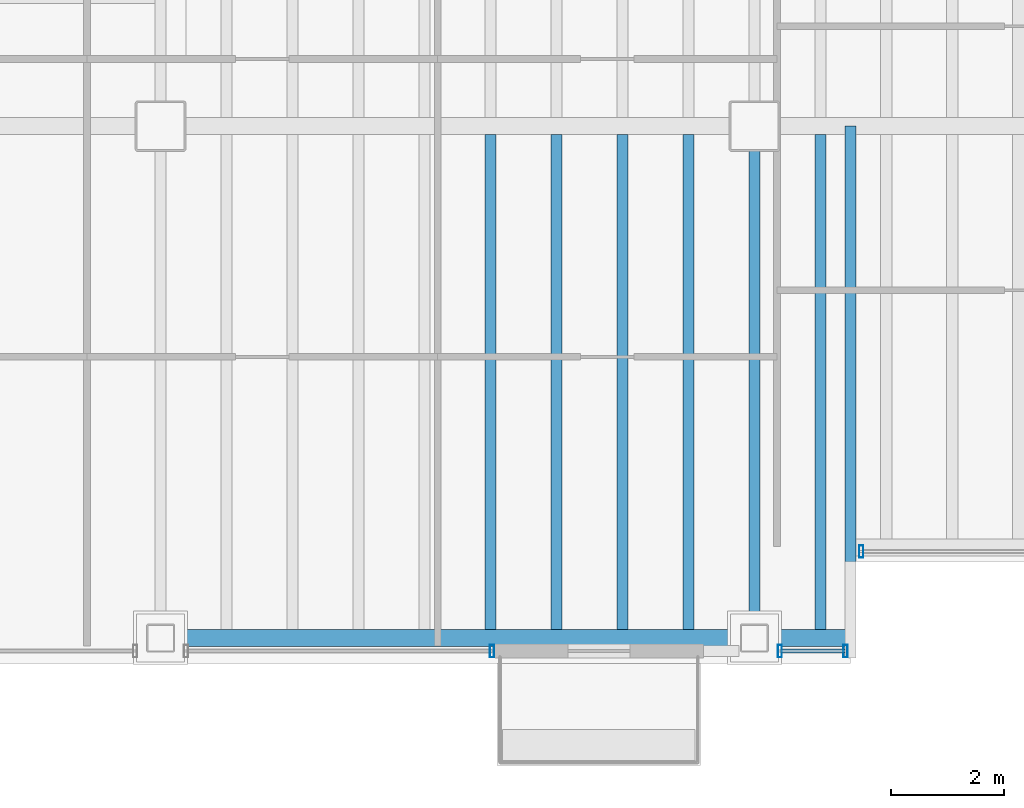
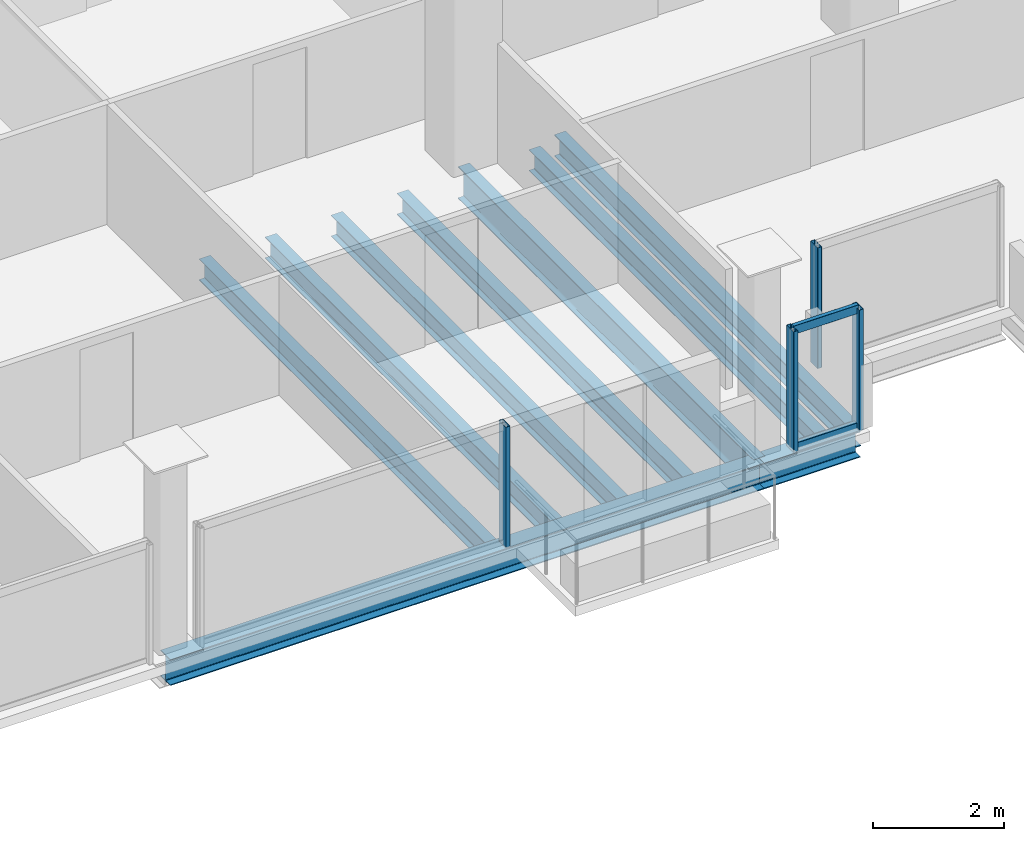
# One storey, part 5 of 22: 9 beams, 6 members, 3 elements without a shape of their own.
"""IFC4 building model written with IfcOpenShell, lengths in metres."""

import ifcopenshell
import ifcopenshell.guid

model = None  # the IFC model being written
_history = None  # IfcOwnerHistory: only IFC2X3 demands one
_inside = {}  # id of a spatial element -> (the spatial element, [elements in it])
_under = {}  # id of a project, library or spatial element -> (it, [spatial elements below it])
_declared = {}  # id of a project -> (the project, [libraries it declares])
_typed = {}  # id of a type object -> (the type object, [elements of that type])
_made_of = {}  # id of a material, layer set ... -> (it, [elements and type objects made of it])


def new_model(schema):
    """Start an empty IFC model of exactly this schema.

    Asked for "IFC4X3", IfcOpenShell would pick the latest addendum, in which some entities
    have other attributes; the version numbers below select the first issue.
    IFC2X3 requires an IfcOwnerHistory on every rooted entity: one is made here for all.
    """
    global model, _history
    if schema == "IFC4X3":
        model = ifcopenshell.file(schema_version=(4, 3, 0, 0))
    else:
        model = ifcopenshell.file(schema=schema)
    _inside.clear()
    _under.clear()
    _declared.clear()
    _typed.clear()
    _made_of.clear()
    _history = None
    if model.schema == "IFC2X3":
        org = make("IfcOrganization", Name="unknown")
        user = make(
            "IfcPersonAndOrganization",
            ThePerson=make("IfcPerson", FamilyName="unknown"),
            TheOrganization=org,
        )
        app = make(
            "IfcApplication",
            ApplicationDeveloper=org,
            Version="unknown",
            ApplicationFullName="unknown",
            ApplicationIdentifier="unknown",
        )
        _history = make(
            "IfcOwnerHistory",
            OwningUser=user,
            OwningApplication=app,
            ChangeAction="ADDED",
            CreationDate=0,
        )
    return model


def make(cls, **values):
    """One entity of the class cls with the attributes given. An attribute that is None is left unset."""
    return model.create_entity(
        cls, **{name: value for name, value in values.items() if value is not None}
    )


def rooted(cls, **values):
    """An entity with a GlobalId (a new one), such as an element, a storey or a relation."""
    return make(cls, GlobalId=ifcopenshell.guid.new(), OwnerHistory=_history, **values)


def si_unit(unit_type, name, prefix=None):
    """IfcSIUnit, for example si_unit("LENGTHUNIT", "METRE", prefix="MILLI")."""
    return make("IfcSIUnit", UnitType=unit_type, Prefix=prefix, Name=name)


def assignment(units):
    """IfcUnitAssignment: the units of a project."""
    return None if units is None else make("IfcUnitAssignment", Units=units)


def point(xyz):
    """IfcCartesianPoint."""
    return None if xyz is None else make("IfcCartesianPoint", Coordinates=xyz)


def direction(xyz):
    """IfcDirection."""
    return None if xyz is None else make("IfcDirection", DirectionRatios=xyz)


def frame(location, z_axis=None, x_axis=None):
    """IfcAxis2Placement3D, a coordinate frame: its origin and axes. An axis left out is left unset."""
    return make(
        "IfcAxis2Placement3D",
        Location=point(location),
        Axis=direction(z_axis),
        RefDirection=direction(x_axis),
    )


def frame_2d(location, x_axis=None):
    """IfcAxis2Placement2D, a coordinate frame in the plane: its origin and x axis."""
    return make(
        "IfcAxis2Placement2D", Location=point(location), RefDirection=direction(x_axis)
    )


def origin():
    """The frame at (0, 0, 0) with its axes left unset."""
    return frame((0.0, 0.0, 0.0))


def origin_2d():
    """The frame at (0, 0) in the plane with its x axis left unset."""
    return frame_2d((0.0, 0.0))


def place(relative_to, where):
    """IfcLocalPlacement: puts the frame where relative to a parent placement (None: the world)."""
    return make(
        "IfcLocalPlacement", PlacementRelTo=relative_to, RelativePlacement=where
    )


def context(
    kind, dimensions, precision=None, world=None, true_north=None, identifier=None
):
    """IfcGeometricRepresentationContext, for example the 3D "Model" context."""
    return make(
        "IfcGeometricRepresentationContext",
        ContextIdentifier=identifier,
        ContextType=kind,
        CoordinateSpaceDimension=dimensions,
        Precision=precision,
        WorldCoordinateSystem=world,
        TrueNorth=true_north,
    )


def subcontext(parent, identifier, kind, view, scale=None):
    """IfcGeometricRepresentationSubContext, for example "Body" below "Model"."""
    return make(
        "IfcGeometricRepresentationSubContext",
        ContextIdentifier=identifier,
        ContextType=kind,
        ParentContext=parent,
        TargetScale=scale,
        TargetView=view,
    )


def project(units=None, contexts=None):
    """IfcProject with its units and contexts."""
    return rooted(
        "IfcProject",
        Name="project",
        RepresentationContexts=contexts,
        UnitsInContext=assignment(units),
    )


def spatial(cls, under=None, at=None, **own):
    """A site, building, storey or space (cls), placed at a placement, below another one or the project."""
    s = rooted(cls, ObjectPlacement=at, **own)
    if under is not None:
        _under.setdefault(under.id(), (under, []))[1].append(s)
    return s


def profile(cls, at=None, kind="AREA", **sizes):
    """A parametric profile (cls). Its sizes go by their IFC names, for example OverallWidth=200.0."""
    return make(cls, ProfileType=kind, Position=at, **sizes)


def hollow_rectangle(**sizes):
    """IfcRectangleHollowProfileDef."""
    return profile("IfcRectangleHollowProfileDef", **sizes)


def i_section(**sizes):
    """IfcIShapeProfileDef."""
    return profile("IfcIShapeProfileDef", **sizes)


def extrude(swept, where, along, depth):
    """IfcExtrudedAreaSolid: the profile swept, set in the frame where, extruded along a direction by depth."""
    return make(
        "IfcExtrudedAreaSolid",
        SweptArea=swept,
        Position=where,
        ExtrudedDirection=direction(along),
        Depth=depth,
    )


def shape(context_of_items, identifier, shape_type, items):
    """IfcShapeRepresentation: the items that make up one representation, for example the "Body"."""
    return make(
        "IfcShapeRepresentation",
        ContextOfItems=context_of_items,
        RepresentationIdentifier=identifier,
        RepresentationType=shape_type,
        Items=items,
    )


def material(Name=None, Category=None):
    """IfcMaterial."""
    return make("IfcMaterial", Name=Name, Category=Category)


def material_profile(
    of_material, cross_section, Name=None, Category=None, Priority=None
):
    """IfcMaterialProfile: a cross section and its material."""
    return make(
        "IfcMaterialProfile",
        Name=Name,
        Material=of_material,
        Profile=cross_section,
        Priority=Priority,
        Category=Category,
    )


def profile_set(profiles, Name=None, composite=None):
    """IfcMaterialProfileSet."""
    return make(
        "IfcMaterialProfileSet",
        Name=Name,
        MaterialProfiles=profiles,
        CompositeProfile=composite,
    )


def made_of(thing, what):
    """Note that an element or type object is made of a material, layer set ...; save() writes the relation."""
    if what is not None:
        _made_of.setdefault(what.id(), (what, []))[1].append(thing)
    return thing


def type_object(cls, material=None, **own):
    """A type object (cls), such as IfcWallType, which elements share."""
    return made_of(rooted(cls, **own), material)


def element(
    cls,
    number,
    at=None,
    inside=None,
    cuts=None,
    type_object=None,
    material=None,
    context=None,
    identifier="Body",
    shape_type=None,
    held_by="IfcProductDefinitionShape",
    body=None,
    shapes=None,
    **own,
):
    """One element of the class cls, such as IfcWall. Its Tag is "e" and its number.

    at: its placement. inside: the storey or other place that contains it. cuts: it is an
    opening in that element (IfcRelVoidsElement). A single representation is given by context,
    identifier, shape_type and body (its items); several are given by shapes. held_by: the class
    of the entity that holds the representations. save() writes the other relations.
    """
    e = rooted(cls, Tag="e%d" % number, ObjectPlacement=at, **own)
    if body is not None:
        shapes = [shape(context, identifier, shape_type, body)]
    if shapes is not None:
        e.Representation = make(held_by, Representations=shapes)
    if inside is not None:
        _inside.setdefault(inside.id(), (inside, []))[1].append(e)
    if cuts is not None:
        rooted(
            "IfcRelVoidsElement", RelatingBuildingElement=cuts, RelatedOpeningElement=e
        )
    if type_object is not None:
        _typed.setdefault(type_object.id(), (type_object, []))[1].append(e)
    return made_of(e, material)


def aggregate(whole, parts):
    """IfcRelAggregates: a whole, such as a stair, and the parts it consists of."""
    return rooted("IfcRelAggregates", RelatingObject=whole, RelatedObjects=parts)


def save(model, path):
    """Write the relations noted so far, then the file.

    IfcRelAggregates (storeys below a building ...), IfcRelContainedInSpatialStructure (elements
    in a storey), IfcRelDefinesByType, IfcRelAssociatesMaterial and IfcRelDeclares: one each for
    every whole, place, type object, material and project.
    """
    for whole, parts in _under.values():
        aggregate(whole, parts)
    for where, things in _inside.values():
        rooted(
            "IfcRelContainedInSpatialStructure",
            RelatedElements=things,
            RelatingStructure=where,
        )
    for kind, things in _typed.values():
        rooted("IfcRelDefinesByType", RelatedObjects=things, RelatingType=kind)
    for what, things in _made_of.values():
        rooted("IfcRelAssociatesMaterial", RelatedObjects=things, RelatingMaterial=what)
    for by, libraries in _declared.values():
        rooted("IfcRelDeclares", RelatingContext=by, RelatedDefinitions=libraries)
    model.write(path)


model = new_model("IFC4")

# Units and contexts
model_context = context("Model", 3, precision=1e-05, world=origin(), true_north=direction((0.0, 1.0)))
body_context = subcontext(model_context, "Body", "Model", "MODEL_VIEW")
ifc_project = project(units=[si_unit("LENGTHUNIT", "METRE"), si_unit("AREAUNIT", "SQUARE_METRE"), si_unit("VOLUMEUNIT", "CUBIC_METRE"), si_unit("PLANEANGLEUNIT", "RADIAN"), si_unit("MASSUNIT", "GRAM", prefix="KILO")], contexts=[model_context])

# Site, building, storey
site_placement = place(None, origin())
site = spatial("IfcSite", under=ifc_project, at=site_placement, CompositionType="ELEMENT")
building_placement = place(site_placement, origin())
building = spatial("IfcBuilding", under=site, at=building_placement, Name="Noeulbin Bourse Tower", CompositionType="ELEMENT")
storey_placement = place(building_placement, frame((0.0, 0.0, 138.300048828125)))
storey = spatial("IfcBuildingStorey", under=building, at=storey_placement, Name="L34", CompositionType="ELEMENT", Elevation=138.300048828125)

# Beams
ifc_material_1 = material(Name="Steel S355", Category="steel")
ifc_material_profile_1 = material_profile(ifc_material_1, i_section(OverallWidth=0.199951171875, OverallDepth=0.60009765625, WebThickness=0.010986328125, FlangeThickness=0.01708984375, FilletRadius=0.02197265625, at=origin_2d()), Name="H-600x200x11x17", Category="LoadBearing")
ifc_profile_set_1 = profile_set([ifc_material_profile_1], Name="Steel S355")
beam_type_1 = type_object("IfcBeamType", Name="BM-GRD-600", PredefinedType="USERDEFINED", material=ifc_profile_set_1)
beam_1_placement = place(storey_placement, frame((24.0, 10.949951171875, -0.47998046875), z_axis=(0.0, 1.0, 0.0), x_axis=(-1.0, 0.0, 0.0)))
element("IfcBeam", 1, at=beam_1_placement, inside=storey, type_object=beam_type_1, Name="Tower Primary Girder NS L34-2.1", ObjectType="GIRDER", PredefinedType="USERDEFINED", context=body_context, shape_type="SweptSolid", body=[
    extrude(i_section(OverallWidth=0.199951171875, OverallDepth=0.60009765625, WebThickness=0.010986328125, FlangeThickness=0.01708984375, FilletRadius=0.02197265625, at=origin_2d()), origin(), (0.0, 0.0, 1.0), 9.050048828125),
])
ifc_material_profile_2 = material_profile(ifc_material_1, i_section(OverallWidth=0.199951171875, OverallDepth=0.39990234375, WebThickness=0.008056640625, FlangeThickness=0.012939453125, FilletRadius=0.01611328125, at=origin_2d()), Name="H-400x200x8x13", Category="LoadBearing")
ifc_profile_set_2 = profile_set([ifc_material_profile_2], Name="Steel S355")
beam_type_2 = type_object("IfcBeamType", Name="BM-SEC-400", PredefinedType="BEAM", material=ifc_profile_set_2)
beam_2_placement = place(storey_placement, frame((25.699951171875, 10.949951171875, -0.380126953125), z_axis=(0.0, 1.0, 0.0), x_axis=(-1.0, 0.0, 0.0)))
element("IfcBeam", 2, at=beam_2_placement, inside=storey, type_object=beam_type_2, Name="BM-L34-SRT-W", PredefinedType="BEAM", context=body_context, shape_type="SweptSolid", body=[
    extrude(i_section(OverallWidth=0.199951171875, OverallDepth=0.39990234375, WebThickness=0.008056640625, FlangeThickness=0.012939453125, FilletRadius=0.01611328125, at=origin_2d()), origin(), (0.0, 0.0, 1.0), 9.050048828125),
])
for number, where, z_axis, x_axis, name in (
    (3, (19.333251953125, 11.10009765625, -0.380126953125), (0.0, 1.0, 0.0), (-1.0, 0.0, 0.0), "Tower Composite Joist L34-09"),
    (4, (20.5, 11.10009765625, -0.380126953125), (0.0, 1.0, 0.0), (-1.0, 0.0, 0.0), "Tower Composite Joist L34-11"),
    (5, (21.666748046875, 11.10009765625, -0.380126953125), (0.0, 1.0, 0.0), (-1.0, 0.0, 0.0), "Tower Composite Joist L34-13"),
    (6, (22.833251953125, 11.10009765625, -0.380126953125), (0.0, 1.0, 0.0), (-1.0, 0.0, 0.0), "Tower Composite Joist L34-15"),
    (7, (25.166748046875, 11.10009765625, -0.380126953125), (0.0, 1.0, 0.0), (-1.0, 0.0, 0.0), "Tower Composite Joist L34-17"),
):
    element("IfcBeam", number, at=place(storey_placement, frame(where, z_axis=z_axis, x_axis=x_axis)), inside=storey, type_object=beam_type_2, Name=name, PredefinedType="BEAM", context=body_context, shape_type="SweptSolid", body=[
        extrude(i_section(OverallWidth=0.199951171875, OverallDepth=0.39990234375, WebThickness=0.008056640625, FlangeThickness=0.012939453125, FilletRadius=0.01611328125, at=origin_2d()), origin(), (0.0, 0.0, 1.0), 8.75),
    ])
ifc_material_profile_3 = material_profile(ifc_material_1, i_section(OverallWidth=0.300048828125, OverallDepth=0.488037109375, WebThickness=0.010986328125, FlangeThickness=0.01806640625, FilletRadius=0.02197265625, at=origin_2d()), Name="H-488x300x11x18", Category="LoadBearing")
ifc_profile_set_3 = profile_set([ifc_material_profile_3], Name="Steel S355")
beam_type_3 = type_object("IfcBeamType", Name="BM-SPN-488", PredefinedType="SPANDREL", material=ifc_profile_set_3)
beam_3_placement = place(storey_placement, frame((13.5, 10.949951171875, -0.424072265625), z_axis=(1.0, 0.0, 0.0), x_axis=(0.0, 1.0, 0.0)))
element("IfcBeam", 8, at=beam_3_placement, inside=storey, type_object=beam_type_3, Name="South Spandrel L34-1", PredefinedType="SPANDREL", context=body_context, shape_type="SweptSolid", body=[
    extrude(i_section(OverallWidth=0.300048828125, OverallDepth=0.488037109375, WebThickness=0.010986328125, FlangeThickness=0.01806640625, FilletRadius=0.02197265625, at=origin_2d()), origin(), (0.0, 0.0, 1.0), 10.5),
])
beam_4_placement = place(storey_placement, frame((24.0, 10.949951171875, -0.424072265625), z_axis=(1.0, 0.0, 0.0), x_axis=(0.0, 1.0, 0.0)))
element("IfcBeam", 9, at=beam_4_placement, inside=storey, type_object=beam_type_3, Name="South Spandrel L34-2A", PredefinedType="SPANDREL", context=body_context, shape_type="SweptSolid", body=[
    extrude(i_section(OverallWidth=0.300048828125, OverallDepth=0.488037109375, WebThickness=0.010986328125, FlangeThickness=0.01806640625, FilletRadius=0.02197265625, at=origin_2d()), origin(), (0.0, 0.0, 1.0), 1.699951171875),
])

# Curtain wall, member
ifc_material_2 = material(Name="Dark Tinted Triple Glazing", Category="glass")
curtain_wall_type = type_object("IfcCurtainWallType", Name="CW-SYS-3", PredefinedType="NOTDEFINED", material=ifc_material_2)
curtain_wall_1_placement = place(storey_placement, origin())
curtain_wall_1 = element("IfcCurtainWall", 10, at=curtain_wall_1_placement, inside=storey, type_object=curtain_wall_type, Name="Unitised Curtain Wall CW-L34-SREC", PredefinedType="NOTDEFINED")
ifc_material_3 = material(Name="Anodised Aluminium 6063-T6", Category="aluminium")
ifc_material_profile_4 = material_profile(ifc_material_3, hollow_rectangle(XDim=0.074951171875, YDim=0.219970703125, WallThickness=0.0048828125, InnerFilletRadius=0.00244140625, OuterFilletRadius=0.0048828125, at=origin_2d()), Name="ALU-MULL-75x220x5", Category="LoadBearing")
ifc_profile_set_4 = profile_set([ifc_material_profile_4], Name="Anodised Aluminium 6063-T6")
member_type_1 = type_object("IfcMemberType", Name="CW-SYS-3-MUL", PredefinedType="MULLION", material=ifc_profile_set_4)
member_1_placement = place(storey_placement, frame((25.889892578125, 12.47998046875, -0.02001953125), z_axis=(0.0, 0.0, 1.0), x_axis=(1.0, 0.0, 0.0)))
member_1 = element("IfcMember", 11, at=member_1_placement, type_object=member_type_1, Name="Curtain Wall Mullion CW-L34-SREC-M00", PredefinedType="MULLION", context=body_context, shape_type="SweptSolid", body=[
    extrude(hollow_rectangle(XDim=0.074951171875, YDim=0.219970703125, WallThickness=0.0048828125, InnerFilletRadius=0.00244140625, OuterFilletRadius=0.0048828125, at=origin_2d()), origin(), (0.0, 0.0, 1.0), 2.260009765625),
])
aggregate(curtain_wall_1, [member_1])

curtain_wall_2_placement = place(storey_placement, origin())
curtain_wall_2 = element("IfcCurtainWall", 12, at=curtain_wall_2_placement, inside=storey, type_object=curtain_wall_type, Name="Unitised Curtain Wall CW-L34-S1-S2", PredefinedType="NOTDEFINED")
member_2_placement = place(storey_placement, frame((19.360107421875, 10.719970703125, -0.02001953125), z_axis=(0.0, 0.0, 1.0), x_axis=(1.0, 0.0, 0.0)))
member_2 = element("IfcMember", 13, at=member_2_placement, type_object=member_type_1, Name="Curtain Wall Mullion CW-L34-S1-S2-M01", PredefinedType="MULLION", context=body_context, shape_type="SweptSolid", body=[
    extrude(hollow_rectangle(XDim=0.074951171875, YDim=0.219970703125, WallThickness=0.0048828125, InnerFilletRadius=0.00244140625, OuterFilletRadius=0.0048828125, at=origin_2d()), origin(), (0.0, 0.0, 1.0), 2.260009765625),
])
aggregate(curtain_wall_2, [member_2])

# Curtain wall, members
curtain_wall_3_placement = place(storey_placement, origin())
curtain_wall_3 = element("IfcCurtainWall", 14, at=curtain_wall_3_placement, inside=storey, type_object=curtain_wall_type, Name="Unitised Curtain Wall CW-L34-S2", PredefinedType="NOTDEFINED")
member_3_placement = place(storey_placement, frame((24.449951171875, 10.719970703125, -0.02001953125), z_axis=(0.0, 0.0, 1.0), x_axis=(1.0, 0.0, 0.0)))
member_3 = element("IfcMember", 15, at=member_3_placement, type_object=member_type_1, Name="Curtain Wall Mullion CW-L34-S2-M00", PredefinedType="MULLION", context=body_context, shape_type="SweptSolid", body=[
    extrude(hollow_rectangle(XDim=0.074951171875, YDim=0.219970703125, WallThickness=0.0048828125, InnerFilletRadius=0.00244140625, OuterFilletRadius=0.0048828125, at=origin_2d()), origin(), (0.0, 0.0, 1.0), 2.260009765625),
])
member_4_placement = place(storey_placement, frame((25.610107421875, 10.719970703125, -0.02001953125), z_axis=(0.0, 0.0, 1.0), x_axis=(1.0, 0.0, 0.0)))
member_4 = element("IfcMember", 16, at=member_4_placement, type_object=member_type_1, Name="Curtain Wall Mullion CW-L34-S2-M01", PredefinedType="MULLION", context=body_context, shape_type="SweptSolid", body=[
    extrude(hollow_rectangle(XDim=0.074951171875, YDim=0.219970703125, WallThickness=0.0048828125, InnerFilletRadius=0.00244140625, OuterFilletRadius=0.0048828125, at=origin_2d()), origin(), (0.0, 0.0, 1.0), 2.260009765625),
])
ifc_material_profile_5 = material_profile(ifc_material_3, hollow_rectangle(XDim=0.074951171875, YDim=0.159912109375, WallThickness=0.0048828125, InnerFilletRadius=0.00244140625, OuterFilletRadius=0.0048828125, at=origin_2d()), Name="ALU-TRAN-75x160x5", Category="LoadBearing")
ifc_profile_set_5 = profile_set([ifc_material_profile_5], Name="Anodised Aluminium 6063-T6")
member_type_2 = type_object("IfcMemberType", Name="CW-SYS-3-TRN", PredefinedType="USERDEFINED", material=ifc_profile_set_5)
member_5_placement = place(storey_placement, frame((24.4599609375, 10.719970703125, 0.010009765625), z_axis=(1.0, 0.0, 0.0), x_axis=(0.0, 1.0, 0.0)))
member_5 = element("IfcMember", 17, at=member_5_placement, type_object=member_type_2, Name="Curtain Wall Transom CW-L34-S2-T00", ObjectType="TRANSOM", PredefinedType="USERDEFINED", context=body_context, shape_type="SweptSolid", body=[
    extrude(hollow_rectangle(XDim=0.074951171875, YDim=0.159912109375, WallThickness=0.0048828125, InnerFilletRadius=0.00244140625, OuterFilletRadius=0.0048828125, at=origin_2d()), origin(), (0.0, 0.0, 1.0), 1.14013671875),
])
member_6_placement = place(storey_placement, frame((24.4599609375, 10.719970703125, 2.2099609375), z_axis=(1.0, 0.0, 0.0), x_axis=(0.0, 1.0, 0.0)))
member_6 = element("IfcMember", 18, at=member_6_placement, type_object=member_type_2, Name="Curtain Wall Transom CW-L34-S2-T01", ObjectType="TRANSOM", PredefinedType="USERDEFINED", context=body_context, shape_type="SweptSolid", body=[
    extrude(hollow_rectangle(XDim=0.074951171875, YDim=0.159912109375, WallThickness=0.0048828125, InnerFilletRadius=0.00244140625, OuterFilletRadius=0.0048828125, at=origin_2d()), origin(), (0.0, 0.0, 1.0), 1.14013671875),
])
aggregate(curtain_wall_3, [member_3, member_4, member_5, member_6])

save(model, "model.ifc")
